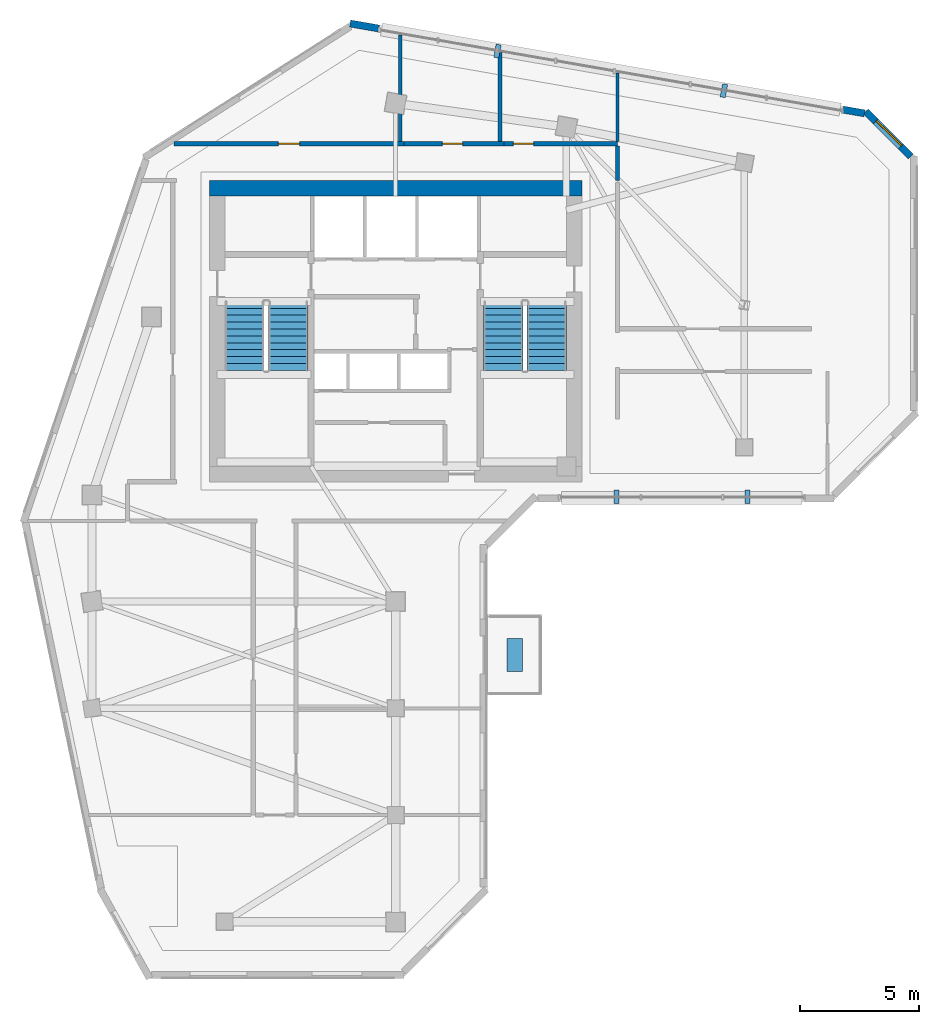
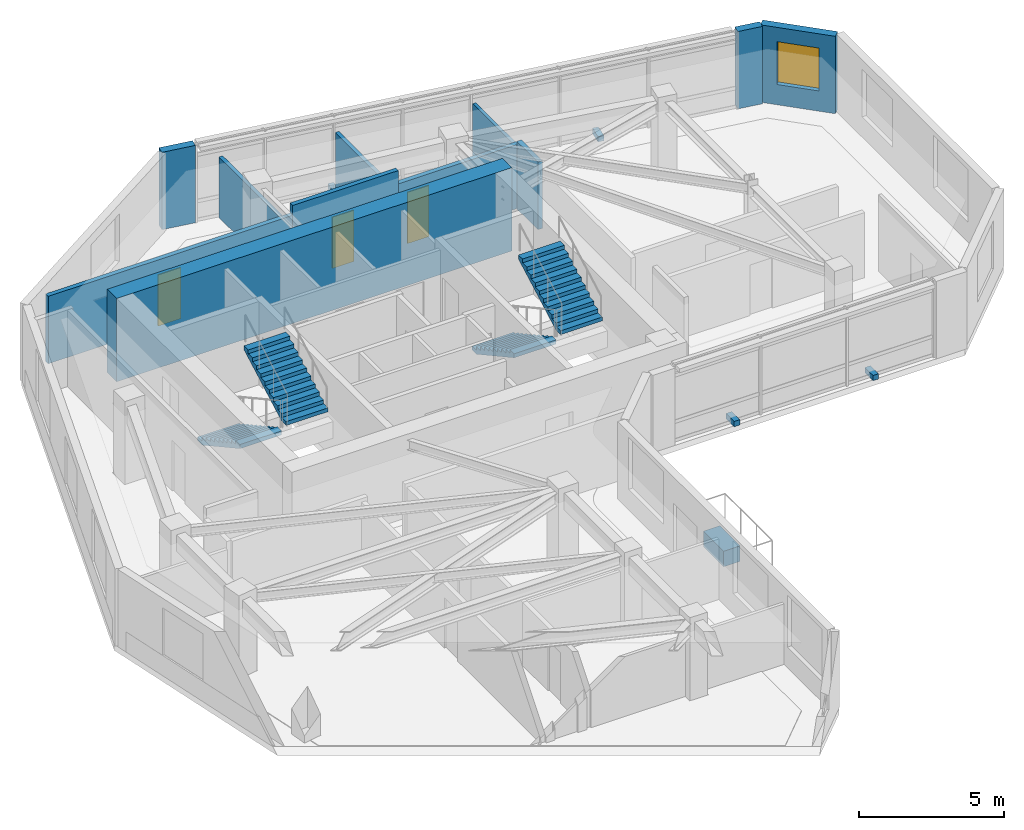
# One storey, part 6 of 9: 11 walls, 5 discrete accessories, 4 stair flights, 3 doors, 1 window, 4 openings, 2 elements without a shape of their own.
"""IFC4 building model written with IfcOpenShell, lengths in metres."""

from ifc_helpers import new_model, si_unit, direction, frame, frame_2d, origin, origin_2d, place, context, subcontext, project, spatial, polyline, rectangle, outline, extrude, source, transform, mapped, material, layer, layer_set, type_object, element, fill, aggregate, save


model = new_model("IFC4")

# Units and contexts
model_context = context("Model", 3, precision=1e-05, world=origin(), true_north=direction((0.0, 1.0)))
body_context = subcontext(model_context, "Body", "Model", "MODEL_VIEW")
ifc_project = project(units=[si_unit("LENGTHUNIT", "METRE"), si_unit("AREAUNIT", "SQUARE_METRE"), si_unit("VOLUMEUNIT", "CUBIC_METRE"), si_unit("PLANEANGLEUNIT", "RADIAN"), si_unit("MASSUNIT", "GRAM", prefix="KILO")], contexts=[model_context])

# Site, building, storey
site_placement = place(None, origin())
site = spatial("IfcSite", under=ifc_project, at=site_placement, CompositionType="ELEMENT")
building_placement = place(site_placement, origin())
building = spatial("IfcBuilding", under=site, at=building_placement, Name="Calvemar Wedge Station Tower", CompositionType="ELEMENT")
storey_placement = place(building_placement, frame((0.0, 0.0, 235.89990234375)))
storey = spatial("IfcBuildingStorey", under=building, at=storey_placement, Name="L60", CompositionType="ELEMENT", Elevation=235.89990234375)

# Wall
ifc_material_1 = material(Name="Concrete C60", Category="concrete")
ifc_layer_1 = layer(ifc_material_1, 0.64990234375)
ifc_layer_set_1 = layer_set([ifc_layer_1], Name="Concrete C60")
wall_type_1 = type_object("IfcWallType", Name="SW-CORE-650", PredefinedType="SHEAR", material=ifc_layer_set_1)
wall_1_placement = place(storey_placement, frame((15.949951171875, 45.925048828125, 0.0), z_axis=(0.0, 0.0, 1.0), x_axis=(1.0, 0.0, 0.0)))
element("IfcWall", 1, at=wall_1_placement, inside=storey, type_object=wall_type_1, Name="Storey L60 Core Shear Wall N", PredefinedType="SHEAR", context=body_context, shape_type="SweptSolid", body=[
    extrude(rectangle(XDim=15.699951171875, YDim=0.64990234375, at=frame_2d((7.85009765625, 0.0))), origin(), (0.0, 0.0, 1.0), 3.5),
])

# Wall, opening, door
ifc_material_2 = material(Name="Double-stud fire-rated corridor partition")
ifc_layer_2 = layer(ifc_material_2, 0.179931640625)
ifc_layer_set_2 = layer_set([ifc_layer_2], Name="Double-stud fire-rated corridor partition")
wall_type_2 = type_object("IfcWallType", Name="W-CORR-180", PredefinedType="PARTITIONING", material=ifc_layer_set_2)
wall_2_placement = place(storey_placement, frame((14.45263671875, 47.800048828125, 0.0), z_axis=(0.0, 0.0, 1.0), x_axis=(1.0, 0.0, 0.0)))
wall_2 = element("IfcWall", 2, at=wall_2_placement, inside=storey, type_object=wall_type_2, Name="Storey L60 Interior Partition WL-L60-012", PredefinedType="PARTITIONING", context=body_context, shape_type="SweptSolid", body=[
    extrude(rectangle(XDim=9.707275390625, YDim=0.179931640625, at=frame_2d((4.853515625, 0.0))), origin(), (0.0, 0.0, 1.0), 2.835205078125),
])
shared_shape_1 = source(origin(), body_context, "Body", "SweptSolid", [
    extrude(rectangle(XDim=0.89990234375, YDim=2.14990234375, at=frame_2d((0.449951171875, 1.074951171875))), frame((0.0, 0.10009765625, 0.0), z_axis=(0.0, -1.0, 0.0), x_axis=(1.0, 0.0, 0.0)), (0.0, 0.0, 1.0), 0.199951171875),
])
opening_1_placement = place(wall_2_placement, frame((4.40380859375, 0.0, 0.0)))
opening_1 = element("IfcOpeningElement", 3, at=opening_1_placement, cuts=wall_2, Name="Opening D-01", PredefinedType="OPENING", context=body_context, shape_type="MappedRepresentation", body=[
    mapped(shared_shape_1, transform((0.0, 0.0, 0.0), scale=1.0)),
])
ifc_material_3 = material(Name="Architectural hardwood acoustic swing door", Category="wood")
door_type_1 = type_object("IfcDoorType", Name="DR-INT-900", OperationType="NOTDEFINED", PredefinedType="DOOR", material=ifc_material_3)
shared_shape_2 = source(origin(), body_context, "Body", "SweptSolid", [
    extrude(rectangle(XDim=0.89990234375, YDim=2.14990234375, at=frame_2d((0.449951171875, 1.074951171875))), frame((0.0, 0.02490234375, 0.0), z_axis=(0.0, -1.0, 0.0), x_axis=(1.0, 0.0, 0.0)), (0.0, 0.0, 1.0), 0.050048828125),
])
door_1_placement = place(opening_1_placement, origin())
door_1 = element("IfcDoor", 4, at=door_1_placement, inside=storey, type_object=door_type_1, Name="L60 Co-Working Lounge Door", OperationType="SINGLE_SWING_RIGHT", OverallHeight=2.14990234375, OverallWidth=0.89990234375, PredefinedType="DOOR", context=body_context, shape_type="MappedRepresentation", body=[
    mapped(shared_shape_2, transform((0.0, 0.0, 0.0), scale=1.0)),
])
fill(opening_1, door_1)

wall_3_placement = place(storey_placement, frame((24.162109375, 47.800048828125, 0.0), z_axis=(0.0, 0.0, 1.0), x_axis=(1.0, 0.0, 0.0)))
wall_3 = element("IfcWall", 5, at=wall_3_placement, inside=storey, type_object=wall_type_2, Name="Storey L60 Interior Partition WL-L60-013", PredefinedType="PARTITIONING", context=body_context, shape_type="SweptSolid", body=[
    extrude(rectangle(XDim=4.197998046875, YDim=0.179931640625, at=frame_2d((2.09912109375, 0.0))), origin(), (0.0, 0.0, 1.0), 3.25),
])
shared_shape_3 = source(origin(), body_context, "Body", "SweptSolid", [
    extrude(rectangle(XDim=0.85009765625, YDim=2.14990234375, at=frame_2d((0.425048828125, 1.074951171875))), frame((0.0, 0.10009765625, 0.0), z_axis=(0.0, -1.0, 0.0), x_axis=(1.0, 0.0, 0.0)), (0.0, 0.0, 1.0), 0.199951171875),
])
opening_2_placement = place(wall_3_placement, frame((1.61328125, 0.0, 0.0)))
opening_2 = element("IfcOpeningElement", 6, at=opening_2_placement, cuts=wall_3, Name="Opening D-02", PredefinedType="OPENING", context=body_context, shape_type="MappedRepresentation", body=[
    mapped(shared_shape_3, transform((0.0, 0.0, 0.0), scale=1.0)),
])
ifc_material_4 = material(Name="Moisture-sealed bathroom hardwood swing door", Category="wood")
door_type_2 = type_object("IfcDoorType", Name="DR-WET-850", OperationType="NOTDEFINED", PredefinedType="DOOR", material=ifc_material_4)
shared_shape_4 = source(origin(), body_context, "Body", "SweptSolid", [
    extrude(rectangle(XDim=0.85009765625, YDim=2.14990234375, at=frame_2d((0.425048828125, 1.074951171875))), frame((0.0, 0.02490234375, 0.0), z_axis=(0.0, -1.0, 0.0), x_axis=(1.0, 0.0, 0.0)), (0.0, 0.0, 1.0), 0.050048828125),
])
door_2_placement = place(opening_2_placement, origin())
door_2 = element("IfcDoor", 7, at=door_2_placement, inside=storey, type_object=door_type_2, Name="L60 Accessible WC Door", OperationType="SINGLE_SWING_LEFT", OverallHeight=2.14990234375, OverallWidth=0.85009765625, PredefinedType="DOOR", context=body_context, shape_type="MappedRepresentation", body=[
    mapped(shared_shape_4, transform((0.0, 0.0, 0.0), scale=1.0)),
])
fill(opening_2, door_2)

wall_4_placement = place(storey_placement, frame((28.362060546875, 47.800048828125, 0.0), z_axis=(0.0, 0.0, 1.0), x_axis=(1.0, 0.0, 0.0)))
wall_4 = element("IfcWall", 8, at=wall_4_placement, inside=storey, type_object=wall_type_2, Name="Storey L60 Interior Partition WL-L60-014", PredefinedType="PARTITIONING", context=body_context, shape_type="SweptSolid", body=[
    extrude(rectangle(XDim=4.787841796875, YDim=0.179931640625, at=frame_2d((2.39404296875, 0.0))), origin(), (0.0, 0.0, 1.0), 2.68798828125),
])
opening_3_placement = place(wall_4_placement, frame((0.400634765625, 0.0, 0.0)))
opening_3 = element("IfcOpeningElement", 9, at=opening_3_placement, cuts=wall_4, Name="Opening D-02", PredefinedType="OPENING", context=body_context, shape_type="MappedRepresentation", body=[
    mapped(shared_shape_3, transform((0.0, 0.0, 0.0), scale=1.0)),
])
door_3_placement = place(opening_3_placement, origin())
door_3 = element("IfcDoor", 10, at=door_3_placement, inside=storey, type_object=door_type_2, Name="L60 Storage Room Door", OperationType="SINGLE_SWING_RIGHT", OverallHeight=2.14990234375, OverallWidth=0.85009765625, PredefinedType="DOOR", context=body_context, shape_type="MappedRepresentation", body=[
    mapped(shared_shape_4, transform((0.0, 0.0, 0.0), scale=1.0)),
])
fill(opening_3, door_3)

# Wall
wall_5_placement = place(storey_placement, frame((33.14990234375, 47.7060546875, 0.0), z_axis=(0.0, 0.0, 1.0), x_axis=(0.0, -1.0, 0.0)))
element("IfcWall", 11, at=wall_5_placement, inside=storey, type_object=wall_type_2, Name="Storey L60 Interior Partition WL-L60-015", PredefinedType="PARTITIONING", context=body_context, shape_type="SweptSolid", body=[
    extrude(rectangle(XDim=1.4560546875, YDim=0.179931640625, at=frame_2d((0.72802734375, 0.0))), origin(), (0.0, 0.0, 1.0), 2.835205078125),
])

# Wall, opening, window
ifc_material_5 = material(Name="Precast concrete C45", Category="concrete")
ifc_layer_3 = layer(ifc_material_5, 0.300048828125)
ifc_layer_set_3 = layer_set([ifc_layer_3], Name="Precast concrete C45")
wall_type_3 = type_object("IfcWallType", Name="W-EXT-GFRC-300", PredefinedType="SOLIDWALL", material=ifc_layer_set_3)
wall_6_placement = place(storey_placement, frame((45.511962890625, 47.267822265625, 0.0), z_axis=(0.0, 0.0, 1.0), x_axis=(-0.707106781187, 0.707106781187, 0.0)))
wall_6 = element("IfcWall", 12, at=wall_6_placement, inside=storey, type_object=wall_type_3, Name="Storey L60 Bronze GFRC Exterior Wall 9", PredefinedType="SOLIDWALL", context=body_context, shape_type="SweptSolid", body=[
    extrude(rectangle(XDim=2.673828125, YDim=0.300048828125, at=frame_2d((1.3369140625, 0.0))), origin(), (0.0, 0.0, 1.0), 3.25),
])
shared_shape_5 = source(origin(), body_context, "Body", "SweptSolid", [
    extrude(rectangle(XDim=1.5, YDim=1.800048828125, at=frame_2d((0.75, 0.89990234375))), frame((0.0, 0.16015625, 0.0), z_axis=(0.0, -1.0, 0.0), x_axis=(1.0, 0.0, 0.0)), (0.0, 0.0, 1.0), 0.320068359375),
])
opening_4_placement = place(wall_6_placement, frame((0.5869140625, 0.0, 0.85009765625)))
opening_4 = element("IfcOpeningElement", 13, at=opening_4_placement, cuts=wall_6, Name="Opening W3", PredefinedType="OPENING", context=body_context, shape_type="MappedRepresentation", body=[
    mapped(shared_shape_5, transform((0.0, 0.0, 0.0), scale=1.0)),
])
ifc_material_6 = material(Name="Low-E laminated insulated glass", Category="glass")
window_type = type_object("IfcWindowType", Name="WIN-EXT-3", PartitioningType="SINGLE_PANEL", PredefinedType="WINDOW", material=ifc_material_6)
shared_shape_6 = source(origin(), body_context, "Body", "SweptSolid", [
    extrude(rectangle(XDim=1.5, YDim=1.800048828125, at=frame_2d((0.75, 0.89990234375))), frame((0.0, -0.014892578125, 0.0), z_axis=(0.0, -1.0, 0.0), x_axis=(1.0, 0.0, 0.0)), (0.0, 0.0, 1.0), 0.06005859375),
])
window_placement = place(opening_4_placement, origin())
window = element("IfcWindow", 14, at=window_placement, inside=storey, type_object=window_type, Name="Storey L60 Recessed Window 9.1", OverallHeight=1.800048828125, OverallWidth=1.5, PartitioningType="SINGLE_PANEL", PredefinedType="WINDOW", context=body_context, shape_type="MappedRepresentation", body=[
    mapped(shared_shape_6, transform((0.0, 0.0, 0.0), scale=1.0)),
])
fill(opening_4, window)

# Walls
wall_7_placement = place(storey_placement, frame((43.561279296875, 49.081298828125, 0.0), z_axis=(0.0, 0.0, 1.0), x_axis=(-0.985063518612, 0.172191359539, 0.0)))
element("IfcWall", 15, at=wall_7_placement, inside=storey, type_object=wall_type_3, Name="Storey L60 Bronze GFRC Corner Pier 10A", PredefinedType="SOLIDWALL", context=body_context, shape_type="SweptSolid", body=[
    extrude(rectangle(XDim=0.908935546875, YDim=0.300048828125, at=frame_2d((0.45458984375, 0.0))), origin(), (0.0, 0.0, 1.0), 3.25),
])
wall_8_placement = place(storey_placement, frame((23.093017578125, 52.65673828125, 0.0), z_axis=(0.0, 0.0, 1.0), x_axis=(-0.985090351288, 0.172037785961, 0.0)))
element("IfcWall", 16, at=wall_8_placement, inside=storey, type_object=wall_type_3, Name="Storey L60 Bronze GFRC Corner Pier 10B", PredefinedType="SOLIDWALL", context=body_context, shape_type="SweptSolid", body=[
    extrude(rectangle(XDim=1.2275390625, YDim=0.300048828125, at=frame_2d((0.61376953125, 0.0))), origin(), (0.0, 0.0, 1.0), 3.25),
])
ifc_material_7 = material(Name="Insulated acoustic gypsum stud partition")
ifc_layer_4 = layer(ifc_material_7, 0.125)
ifc_layer_set_4 = layer_set([ifc_layer_4], Name="Insulated acoustic gypsum stud partition")
wall_type_4 = type_object("IfcWallType", Name="W-PART-125", PredefinedType="PARTITIONING", material=ifc_layer_set_4)
wall_9_placement = place(storey_placement, frame((33.14990234375, 50.783203125, 0.0), z_axis=(0.0, 0.0, 1.0), x_axis=(0.0, -1.0, 0.0)))
element("IfcWall", 17, at=wall_9_placement, inside=storey, type_object=wall_type_4, Name="Storey L60 Interior Partition WL-L60-021", PredefinedType="PARTITIONING", context=body_context, shape_type="SweptSolid", body=[
    extrude(rectangle(XDim=2.88916015625, YDim=0.125, at=frame_2d((1.444580078125, 0.0))), origin(), (0.0, 0.0, 1.0), 2.5419921875),
])
ifc_material_8 = material(Name="Moisture-resistant acoustic bathroom partition")
ifc_layer_5 = layer(ifc_material_8, 0.14990234375)
ifc_layer_set_5 = layer_set([ifc_layer_5], Name="Moisture-resistant acoustic bathroom partition")
wall_type_5 = type_object("IfcWallType", Name="W-WET-150", PredefinedType="PARTITIONING", material=ifc_layer_set_5)
wall_10_placement = place(storey_placement, frame((24.0, 52.381591796875, 0.0), z_axis=(0.0, 0.0, 1.0), x_axis=(0.0, -1.0, 0.0)))
element("IfcWall", 18, at=wall_10_placement, inside=storey, type_object=wall_type_5, Name="Storey L60 Interior Partition WL-L60-019", PredefinedType="PARTITIONING", context=body_context, shape_type="SweptSolid", body=[
    extrude(rectangle(XDim=4.487548828125, YDim=0.14990234375, at=frame_2d((2.24365234375, 0.0))), origin(), (0.0, 0.0, 1.0), 2.5419921875),
])
wall_11_placement = place(storey_placement, frame((28.199951171875, 51.64794921875, 0.0), z_axis=(0.0, 0.0, 1.0), x_axis=(0.0, -1.0, 0.0)))
element("IfcWall", 19, at=wall_11_placement, inside=storey, type_object=wall_type_5, Name="Storey L60 Interior Partition WL-L60-020", PredefinedType="PARTITIONING", context=body_context, shape_type="SweptSolid", body=[
    extrude(rectangle(XDim=3.75390625, YDim=0.14990234375, at=frame_2d((1.876953125, 0.0))), origin(), (0.0, 0.0, 1.0), 2.5419921875),
])

# Stair, stair flights
ifc_material_9 = material(Name="Concrete C45", Category="concrete")
stair_type = type_object("IfcStairType", Name="ST-TYPE-3500", PredefinedType="HALF_TURN_STAIR", material=ifc_material_9)
stair_1_placement = place(storey_placement, origin())
stair_1 = element("IfcStair", 20, at=stair_1_placement, inside=storey, type_object=stair_type, Name="L60 Pressurized Core Exit Stair ST-C1", PredefinedType="HALF_TURN_STAIR")
stair_flight_type = type_object("IfcStairFlightType", Name="STF-TYPE-3500", PredefinedType="STRAIGHT", material=ifc_material_9)
stair_flight_1_placement = place(storey_placement, frame((17.429931640625, 41.14990234375, 0.0), z_axis=(0.0, 0.0, 1.0), x_axis=(0.0, -1.0, 0.0)))
stair_flight_1 = element("IfcStairFlight", 21, at=stair_flight_1_placement, type_object=stair_flight_type, Name="ST-C1 flight 1", NumberOfRisers=11, NumberOfTreads=10, PredefinedType="STRAIGHT", RiserHeight=0.159090909, TreadLength=0.29, context=body_context, shape_type="SweptSolid", body=[
    extrude(outline(polyline([(0.0, 0.0), (0.0, 0.1591796875), (0.2900390625, 0.1591796875), (0.2900390625, 0.318115234375), (0.580078125, 0.318115234375), (0.580078125, 0.477294921875), (0.8701171875, 0.477294921875), (0.8701171875, 0.636474609375), (1.159912109375, 0.636474609375), (1.159912109375, 0.79541015625), (1.449951171875, 0.79541015625), (1.449951171875, 0.95458984375), (1.739990234375, 0.95458984375), (1.739990234375, 1.113525390625), (2.030029296875, 1.113525390625), (2.030029296875, 1.272705078125), (2.320068359375, 1.272705078125), (2.320068359375, 1.431884765625), (2.610107421875, 1.431884765625), (2.610107421875, 1.5908203125), (2.89990234375, 1.5908203125), (2.89990234375, 1.75), (2.89990234375, 1.419921875), (0.311767578125, 0.0), (0.0, 0.0)])), frame((0.0, 0.830078125, 0.0), z_axis=(0.0, -1.0, 0.0), x_axis=(1.0, 0.0, 0.0)), (0.0, 0.0, 1.0), 1.659912109375),
])
stair_flight_2_placement = place(storey_placement, frame((19.27001953125, 38.25, 1.75), z_axis=(0.0, 0.0, 1.0), x_axis=(0.0, 1.0, 0.0)))
stair_flight_2 = element("IfcStairFlight", 22, at=stair_flight_2_placement, type_object=stair_flight_type, Name="ST-C1 flight 2", NumberOfRisers=11, NumberOfTreads=10, PredefinedType="STRAIGHT", RiserHeight=0.159090909, TreadLength=0.29, context=body_context, shape_type="SweptSolid", body=[
    extrude(outline(polyline([(0.0, 0.0), (0.0, 0.1591796875), (0.2900390625, 0.1591796875), (0.2900390625, 0.318115234375), (0.580078125, 0.318115234375), (0.580078125, 0.477294921875), (0.8701171875, 0.477294921875), (0.8701171875, 0.636474609375), (1.159912109375, 0.636474609375), (1.159912109375, 0.79541015625), (1.449951171875, 0.79541015625), (1.449951171875, 0.95458984375), (1.739990234375, 0.95458984375), (1.739990234375, 1.113525390625), (2.030029296875, 1.113525390625), (2.030029296875, 1.272705078125), (2.320068359375, 1.272705078125), (2.320068359375, 1.431884765625), (2.610107421875, 1.431884765625), (2.610107421875, 1.5908203125), (2.89990234375, 1.5908203125), (2.89990234375, 1.75), (2.89990234375, 1.419921875), (0.311767578125, 0.0), (0.0, 0.0)])), frame((0.0, 0.830078125, 0.0), z_axis=(0.0, -1.0, 0.0), x_axis=(1.0, 0.0, 0.0)), (0.0, 0.0, 1.0), 1.659912109375),
])
aggregate(stair_1, [stair_flight_1, stair_flight_2])

stair_2_placement = place(storey_placement, origin())
stair_2 = element("IfcStair", 23, at=stair_2_placement, inside=storey, type_object=stair_type, Name="L60 Pressurized Core Exit Stair ST-C2", PredefinedType="HALF_TURN_STAIR")
stair_flight_3_placement = place(storey_placement, frame((28.330078125, 41.14990234375, 0.0), z_axis=(0.0, 0.0, 1.0), x_axis=(0.0, -1.0, 0.0)))
stair_flight_3 = element("IfcStairFlight", 24, at=stair_flight_3_placement, type_object=stair_flight_type, Name="ST-C2 flight 1", NumberOfRisers=11, NumberOfTreads=10, PredefinedType="STRAIGHT", RiserHeight=0.159090909, TreadLength=0.29, context=body_context, shape_type="SweptSolid", body=[
    extrude(outline(polyline([(0.0, 0.0), (0.0, 0.1591796875), (0.2900390625, 0.1591796875), (0.2900390625, 0.318115234375), (0.580078125, 0.318115234375), (0.580078125, 0.477294921875), (0.8701171875, 0.477294921875), (0.8701171875, 0.636474609375), (1.159912109375, 0.636474609375), (1.159912109375, 0.79541015625), (1.449951171875, 0.79541015625), (1.449951171875, 0.95458984375), (1.739990234375, 0.95458984375), (1.739990234375, 1.113525390625), (2.030029296875, 1.113525390625), (2.030029296875, 1.272705078125), (2.320068359375, 1.272705078125), (2.320068359375, 1.431884765625), (2.610107421875, 1.431884765625), (2.610107421875, 1.5908203125), (2.89990234375, 1.5908203125), (2.89990234375, 1.75), (2.89990234375, 1.419921875), (0.311767578125, 0.0), (0.0, 0.0)])), frame((0.0, 0.830078125, 0.0), z_axis=(0.0, -1.0, 0.0), x_axis=(1.0, 0.0, 0.0)), (0.0, 0.0, 1.0), 1.659912109375),
])
stair_flight_4_placement = place(storey_placement, frame((30.169921875, 38.25, 1.75), z_axis=(0.0, 0.0, 1.0), x_axis=(0.0, 1.0, 0.0)))
stair_flight_4 = element("IfcStairFlight", 25, at=stair_flight_4_placement, type_object=stair_flight_type, Name="ST-C2 flight 2", NumberOfRisers=11, NumberOfTreads=10, PredefinedType="STRAIGHT", RiserHeight=0.159090909, TreadLength=0.29, context=body_context, shape_type="SweptSolid", body=[
    extrude(outline(polyline([(0.0, 0.0), (0.0, 0.1591796875), (0.2900390625, 0.1591796875), (0.2900390625, 0.318115234375), (0.580078125, 0.318115234375), (0.580078125, 0.477294921875), (0.8701171875, 0.477294921875), (0.8701171875, 0.636474609375), (1.159912109375, 0.636474609375), (1.159912109375, 0.79541015625), (1.449951171875, 0.79541015625), (1.449951171875, 0.95458984375), (1.739990234375, 0.95458984375), (1.739990234375, 1.113525390625), (2.030029296875, 1.113525390625), (2.030029296875, 1.272705078125), (2.320068359375, 1.272705078125), (2.320068359375, 1.431884765625), (2.610107421875, 1.431884765625), (2.610107421875, 1.5908203125), (2.89990234375, 1.5908203125), (2.89990234375, 1.75), (2.89990234375, 1.419921875), (0.311767578125, 0.0), (0.0, 0.0)])), frame((0.0, 0.830078125, 0.0), z_axis=(0.0, -1.0, 0.0), x_axis=(1.0, 0.0, 0.0)), (0.0, 0.0, 1.0), 1.659912109375),
])
aggregate(stair_2, [stair_flight_3, stair_flight_4])

# Discrete accessories
ifc_material_10 = material(Name="Stainless steel AISI 316L", Category="steel")
discrete_accessory_type_1 = type_object("IfcDiscreteAccessoryType", Name="BRK-316L", PredefinedType="BRACKET", material=ifc_material_10)
shared_shape_7 = source(origin(), body_context, "Body", "SweptSolid", [
    extrude(rectangle(XDim=0.219970703125, YDim=0.56005859375, at=origin_2d()), origin(), (0.0, 0.0, 1.0), 0.219970703125),
])
for number, where, z_axis, x_axis, name in (
    (26, (33.11181640625, 32.922119140625, 0.0), (0.0, 0.0, 1.0), (1.0, 0.0, 0.0), "Storey L60 Recessed Facade Stainless Bracket 6.1"),
    (27, (38.627685546875, 32.922119140625, 0.0), (0.0, 0.0, 1.0), (1.0, 0.0, 0.0), "Storey L60 Recessed Facade Stainless Bracket 6.2"),
    (28, (37.638916015625, 50.03466796875, 0.0), (0.0, 0.0, 1.0), (-0.985079303862, 0.172101031672, 0.0), "Storey L60 Recessed Facade Stainless Bracket 10.1"),
    (29, (28.092529296875, 51.702392578125, 0.0), (0.0, 0.0, 1.0), (-0.985079303862, 0.172101031672, 0.0), "Storey L60 Recessed Facade Stainless Bracket 10.2"),
):
    element("IfcDiscreteAccessory", number, at=place(storey_placement, frame(where, z_axis=z_axis, x_axis=x_axis)), inside=storey, type_object=discrete_accessory_type_1, Name=name, PredefinedType="BRACKET", context=body_context, shape_type="MappedRepresentation", body=[
        mapped(shared_shape_7, transform((0.0, 0.0, 0.0), scale=1.0)),
    ])
discrete_accessory_type_2 = type_object("IfcDiscreteAccessoryType", Name="ACC-PLANTER", PredefinedType="USERDEFINED", material=ifc_material_5)
shared_shape_8 = source(origin(), body_context, "Body", "SweptSolid", [
    extrude(rectangle(XDim=0.64990234375, YDim=1.39990234375, at=origin_2d()), origin(), (0.0, 0.0, 1.0), 0.64990234375),
])
discrete_accessory_placement = place(storey_placement, frame((28.81396484375, 26.25, 0.000244140625), z_axis=(0.0, 0.0, 1.0), x_axis=(1.0, 0.0, 0.0)))
element("IfcDiscreteAccessory", 30, at=discrete_accessory_placement, inside=storey, type_object=discrete_accessory_type_2, Name="Storey L60 Planted Terrace GFRC Planter", ObjectType="PLANTER", PredefinedType="USERDEFINED", context=body_context, shape_type="MappedRepresentation", body=[
    mapped(shared_shape_8, transform((0.0, 0.0, 0.0), scale=1.0)),
])

save(model, "model.ifc")
